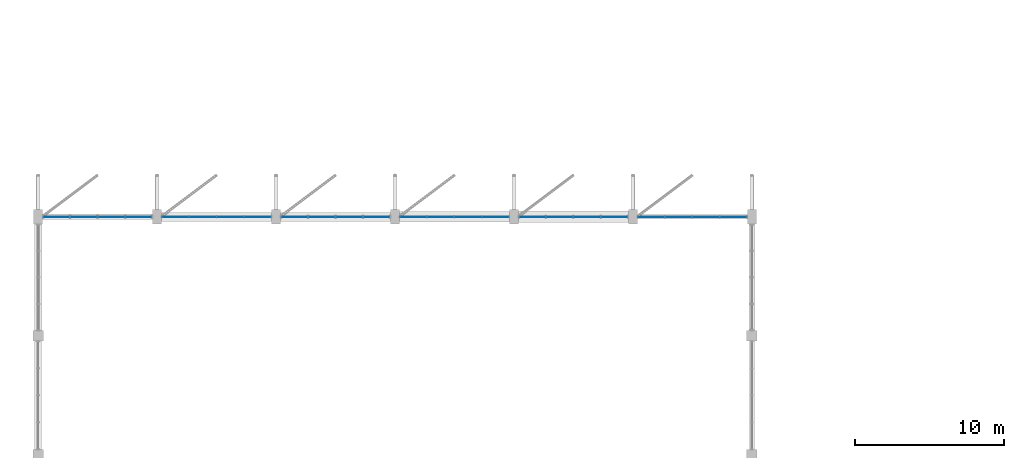
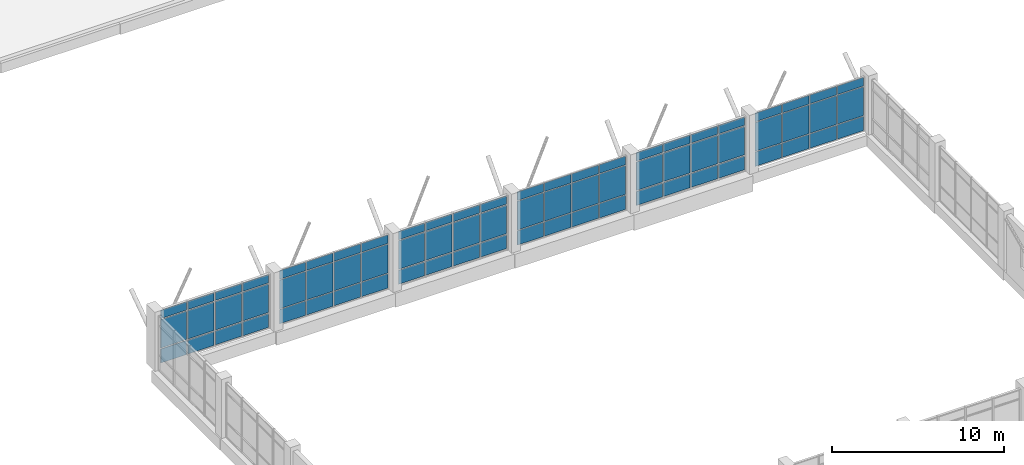
# One storey, part 31 of 44: 72 plates, 6 elements without a shape of their own.
"""IFC4 building model written with IfcOpenShell, lengths in metres."""

from ifc_helpers import new_model, si_unit, direction, frame, origin, origin_2d, place, context, subcontext, project, spatial, rectangle, extrude, material, layer, layer_set, type_object, element, aggregate, save


model = new_model("IFC4")

# Units and contexts
model_context = context("Model", 3, precision=1e-05, world=origin(), true_north=direction((0.0, 1.0)))
body_context = subcontext(model_context, "Body", "Model", "MODEL_VIEW")
ifc_project = project(units=[si_unit("LENGTHUNIT", "METRE"), si_unit("AREAUNIT", "SQUARE_METRE"), si_unit("VOLUMEUNIT", "CUBIC_METRE"), si_unit("PLANEANGLEUNIT", "RADIAN"), si_unit("MASSUNIT", "GRAM", prefix="KILO")], contexts=[model_context])

# Site, building, storey
site_placement = place(None, origin())
site = spatial("IfcSite", under=ifc_project, at=site_placement, CompositionType="ELEMENT")
building_placement = place(site_placement, origin())
building = spatial("IfcBuilding", under=site, at=building_placement, Name="Tenunan Teduh Sports Hall", CompositionType="ELEMENT")
storey_placement = place(building_placement, frame((0.0, 0.0, 19.199951171875)))
storey = spatial("IfcBuildingStorey", under=building, at=storey_placement, Name="L04", CompositionType="ELEMENT", Elevation=19.199951171875)

# Curtain wall, plates
ifc_material_1 = material(Name="Anodised aluminium", Category="aluminium")
curtain_wall_type = type_object("IfcCurtainWallType", Name="CW-UNIT-2", PredefinedType="NOTDEFINED", material=ifc_material_1)
curtain_wall_1_placement = place(storey_placement, origin())
curtain_wall_1 = element("IfcCurtainWall", 1, at=curtain_wall_1_placement, inside=storey, type_object=curtain_wall_type, Name="CW-CWM-220-L04-093", PredefinedType="NOTDEFINED")
ifc_material_2 = material(Name="Solar-control laminated glazing", Category="glass")
ifc_layer_1 = layer(ifc_material_2, 0.031982421875)
ifc_layer_set_1 = layer_set([ifc_layer_1], Name="Solar-control laminated glazing")
plate_type_1 = type_object("IfcPlateType", Name="CWP-GLZ-32", PredefinedType="CURTAIN_PANEL", material=ifc_layer_set_1)
plate_1_placement = place(storey_placement, frame((7.24365234375, 46.0, 1.1376953125), z_axis=(0.0, 0.0, 1.0), x_axis=(1.0, 0.0, 0.0)))
plate_1 = element("IfcPlate", 2, at=plate_1_placement, type_object=plate_type_1, Name="CW-02 panel 1.2", PredefinedType="CURTAIN_PANEL", context=body_context, shape_type="SweptSolid", body=[
    extrude(rectangle(XDim=1.737548828125, YDim=0.031982421875, at=origin_2d()), origin(), (0.0, 0.0, 1.0), 2.02490234375),
])
plate_2_placement = place(storey_placement, frame((7.24365234375, 46.0, 3.237548828125), z_axis=(0.0, 0.0, 1.0), x_axis=(1.0, 0.0, 0.0)))
plate_2 = element("IfcPlate", 3, at=plate_2_placement, type_object=plate_type_1, Name="CW-02 panel 1.3", PredefinedType="CURTAIN_PANEL", context=body_context, shape_type="SweptSolid", body=[
    extrude(rectangle(XDim=1.737548828125, YDim=0.031982421875, at=origin_2d()), origin(), (0.0, 0.0, 1.0), 0.58740234375),
])
plate_3_placement = place(storey_placement, frame((9.074951171875, 46.0, 1.1376953125), z_axis=(0.0, 0.0, 1.0), x_axis=(1.0, 0.0, 0.0)))
plate_3 = element("IfcPlate", 4, at=plate_3_placement, type_object=plate_type_1, Name="CW-02 panel 2.2", PredefinedType="CURTAIN_PANEL", context=body_context, shape_type="SweptSolid", body=[
    extrude(rectangle(XDim=1.77490234375, YDim=0.031982421875, at=origin_2d()), origin(), (0.0, 0.0, 1.0), 2.02490234375),
])
plate_4_placement = place(storey_placement, frame((9.074951171875, 46.0, 3.237548828125), z_axis=(0.0, 0.0, 1.0), x_axis=(1.0, 0.0, 0.0)))
plate_4 = element("IfcPlate", 5, at=plate_4_placement, type_object=plate_type_1, Name="CW-02 panel 2.3", PredefinedType="CURTAIN_PANEL", context=body_context, shape_type="SweptSolid", body=[
    extrude(rectangle(XDim=1.77490234375, YDim=0.031982421875, at=origin_2d()), origin(), (0.0, 0.0, 1.0), 0.58740234375),
])
plate_5_placement = place(storey_placement, frame((10.925048828125, 46.0, 1.1376953125), z_axis=(0.0, 0.0, 1.0), x_axis=(1.0, 0.0, 0.0)))
plate_5 = element("IfcPlate", 6, at=plate_5_placement, type_object=plate_type_1, Name="CW-02 panel 3.2", PredefinedType="CURTAIN_PANEL", context=body_context, shape_type="SweptSolid", body=[
    extrude(rectangle(XDim=1.77490234375, YDim=0.031982421875, at=origin_2d()), origin(), (0.0, 0.0, 1.0), 2.02490234375),
])
plate_6_placement = place(storey_placement, frame((10.925048828125, 46.0, 3.237548828125), z_axis=(0.0, 0.0, 1.0), x_axis=(1.0, 0.0, 0.0)))
plate_6 = element("IfcPlate", 7, at=plate_6_placement, type_object=plate_type_1, Name="CW-02 panel 3.3", PredefinedType="CURTAIN_PANEL", context=body_context, shape_type="SweptSolid", body=[
    extrude(rectangle(XDim=1.77490234375, YDim=0.031982421875, at=origin_2d()), origin(), (0.0, 0.0, 1.0), 0.58740234375),
])
plate_7_placement = place(storey_placement, frame((12.75634765625, 46.0, 1.1376953125), z_axis=(0.0, 0.0, 1.0), x_axis=(1.0, 0.0, 0.0)))
plate_7 = element("IfcPlate", 8, at=plate_7_placement, type_object=plate_type_1, Name="CW-02 panel 4.2", PredefinedType="CURTAIN_PANEL", context=body_context, shape_type="SweptSolid", body=[
    extrude(rectangle(XDim=1.737548828125, YDim=0.031982421875, at=origin_2d()), origin(), (0.0, 0.0, 1.0), 2.02490234375),
])
plate_8_placement = place(storey_placement, frame((12.75634765625, 46.0, 3.237548828125), z_axis=(0.0, 0.0, 1.0), x_axis=(1.0, 0.0, 0.0)))
plate_8 = element("IfcPlate", 9, at=plate_8_placement, type_object=plate_type_1, Name="CW-02 panel 4.3", PredefinedType="CURTAIN_PANEL", context=body_context, shape_type="SweptSolid", body=[
    extrude(rectangle(XDim=1.737548828125, YDim=0.031982421875, at=origin_2d()), origin(), (0.0, 0.0, 1.0), 0.58740234375),
])

curtain_wall_2_placement = place(storey_placement, origin())
curtain_wall_2 = element("IfcCurtainWall", 10, at=curtain_wall_2_placement, inside=storey, type_object=curtain_wall_type, Name="CW-CWM-150-L04-095", PredefinedType="NOTDEFINED")
plate_9_placement = place(storey_placement, frame((15.239990234375, 46.0, 1.130126953125), z_axis=(0.0, 0.0, 1.0), x_axis=(1.0, 0.0, 0.0)))
plate_9 = element("IfcPlate", 11, at=plate_9_placement, type_object=plate_type_1, Name="CW-02 panel 1.2", PredefinedType="CURTAIN_PANEL", context=body_context, shape_type="SweptSolid", body=[
    extrude(rectangle(XDim=1.760009765625, YDim=0.031982421875, at=origin_2d()), origin(), (0.0, 0.0, 1.0), 2.0400390625),
])
plate_10_placement = place(storey_placement, frame((15.239990234375, 46.0, 3.22998046875), z_axis=(0.0, 0.0, 1.0), x_axis=(1.0, 0.0, 0.0)))
plate_10 = element("IfcPlate", 12, at=plate_10_placement, type_object=plate_type_1, Name="CW-02 panel 1.3", PredefinedType="CURTAIN_PANEL", context=body_context, shape_type="SweptSolid", body=[
    extrude(rectangle(XDim=1.760009765625, YDim=0.031982421875, at=origin_2d()), origin(), (0.0, 0.0, 1.0), 0.610107421875),
])
plate_11_placement = place(storey_placement, frame((17.074951171875, 46.0, 1.130126953125), z_axis=(0.0, 0.0, 1.0), x_axis=(1.0, 0.0, 0.0)))
plate_11 = element("IfcPlate", 13, at=plate_11_placement, type_object=plate_type_1, Name="CW-02 panel 2.2", PredefinedType="CURTAIN_PANEL", context=body_context, shape_type="SweptSolid", body=[
    extrude(rectangle(XDim=1.7900390625, YDim=0.031982421875, at=origin_2d()), origin(), (0.0, 0.0, 1.0), 2.0400390625),
])
plate_12_placement = place(storey_placement, frame((17.074951171875, 46.0, 3.22998046875), z_axis=(0.0, 0.0, 1.0), x_axis=(1.0, 0.0, 0.0)))
plate_12 = element("IfcPlate", 14, at=plate_12_placement, type_object=plate_type_1, Name="CW-02 panel 2.3", PredefinedType="CURTAIN_PANEL", context=body_context, shape_type="SweptSolid", body=[
    extrude(rectangle(XDim=1.7900390625, YDim=0.031982421875, at=origin_2d()), origin(), (0.0, 0.0, 1.0), 0.610107421875),
])
plate_13_placement = place(storey_placement, frame((18.925048828125, 46.0, 1.130126953125), z_axis=(0.0, 0.0, 1.0), x_axis=(1.0, 0.0, 0.0)))
plate_13 = element("IfcPlate", 15, at=plate_13_placement, type_object=plate_type_1, Name="CW-02 panel 3.2", PredefinedType="CURTAIN_PANEL", context=body_context, shape_type="SweptSolid", body=[
    extrude(rectangle(XDim=1.7900390625, YDim=0.031982421875, at=origin_2d()), origin(), (0.0, 0.0, 1.0), 2.0400390625),
])
plate_14_placement = place(storey_placement, frame((18.925048828125, 46.0, 3.22998046875), z_axis=(0.0, 0.0, 1.0), x_axis=(1.0, 0.0, 0.0)))
plate_14 = element("IfcPlate", 16, at=plate_14_placement, type_object=plate_type_1, Name="CW-02 panel 3.3", PredefinedType="CURTAIN_PANEL", context=body_context, shape_type="SweptSolid", body=[
    extrude(rectangle(XDim=1.7900390625, YDim=0.031982421875, at=origin_2d()), origin(), (0.0, 0.0, 1.0), 0.610107421875),
])
plate_15_placement = place(storey_placement, frame((20.760009765625, 46.0, 1.130126953125), z_axis=(0.0, 0.0, 1.0), x_axis=(1.0, 0.0, 0.0)))
plate_15 = element("IfcPlate", 17, at=plate_15_placement, type_object=plate_type_1, Name="CW-02 panel 4.2", PredefinedType="CURTAIN_PANEL", context=body_context, shape_type="SweptSolid", body=[
    extrude(rectangle(XDim=1.760009765625, YDim=0.031982421875, at=origin_2d()), origin(), (0.0, 0.0, 1.0), 2.0400390625),
])
plate_16_placement = place(storey_placement, frame((20.760009765625, 46.0, 3.22998046875), z_axis=(0.0, 0.0, 1.0), x_axis=(1.0, 0.0, 0.0)))
plate_16 = element("IfcPlate", 18, at=plate_16_placement, type_object=plate_type_1, Name="CW-02 panel 4.3", PredefinedType="CURTAIN_PANEL", context=body_context, shape_type="SweptSolid", body=[
    extrude(rectangle(XDim=1.760009765625, YDim=0.031982421875, at=origin_2d()), origin(), (0.0, 0.0, 1.0), 0.610107421875),
])

curtain_wall_3_placement = place(storey_placement, origin())
curtain_wall_3 = element("IfcCurtainWall", 19, at=curtain_wall_3_placement, inside=storey, type_object=curtain_wall_type, Name="CW-CWM-220-L04-097", PredefinedType="NOTDEFINED")
plate_17_placement = place(storey_placement, frame((23.24365234375, 46.0, 1.1376953125), z_axis=(0.0, 0.0, 1.0), x_axis=(1.0, 0.0, 0.0)))
plate_17 = element("IfcPlate", 20, at=plate_17_placement, type_object=plate_type_1, Name="CW-02 panel 1.2", PredefinedType="CURTAIN_PANEL", context=body_context, shape_type="SweptSolid", body=[
    extrude(rectangle(XDim=1.737548828125, YDim=0.031982421875, at=origin_2d()), origin(), (0.0, 0.0, 1.0), 2.02490234375),
])
plate_18_placement = place(storey_placement, frame((23.24365234375, 46.0, 3.237548828125), z_axis=(0.0, 0.0, 1.0), x_axis=(1.0, 0.0, 0.0)))
plate_18 = element("IfcPlate", 21, at=plate_18_placement, type_object=plate_type_1, Name="CW-02 panel 1.3", PredefinedType="CURTAIN_PANEL", context=body_context, shape_type="SweptSolid", body=[
    extrude(rectangle(XDim=1.737548828125, YDim=0.031982421875, at=origin_2d()), origin(), (0.0, 0.0, 1.0), 0.58740234375),
])
plate_19_placement = place(storey_placement, frame((25.074951171875, 46.0, 1.1376953125), z_axis=(0.0, 0.0, 1.0), x_axis=(1.0, 0.0, 0.0)))
plate_19 = element("IfcPlate", 22, at=plate_19_placement, type_object=plate_type_1, Name="CW-02 panel 2.2", PredefinedType="CURTAIN_PANEL", context=body_context, shape_type="SweptSolid", body=[
    extrude(rectangle(XDim=1.77490234375, YDim=0.031982421875, at=origin_2d()), origin(), (0.0, 0.0, 1.0), 2.02490234375),
])
plate_20_placement = place(storey_placement, frame((25.074951171875, 46.0, 3.237548828125), z_axis=(0.0, 0.0, 1.0), x_axis=(1.0, 0.0, 0.0)))
plate_20 = element("IfcPlate", 23, at=plate_20_placement, type_object=plate_type_1, Name="CW-02 panel 2.3", PredefinedType="CURTAIN_PANEL", context=body_context, shape_type="SweptSolid", body=[
    extrude(rectangle(XDim=1.77490234375, YDim=0.031982421875, at=origin_2d()), origin(), (0.0, 0.0, 1.0), 0.58740234375),
])
plate_21_placement = place(storey_placement, frame((26.925048828125, 46.0, 1.1376953125), z_axis=(0.0, 0.0, 1.0), x_axis=(1.0, 0.0, 0.0)))
plate_21 = element("IfcPlate", 24, at=plate_21_placement, type_object=plate_type_1, Name="CW-02 panel 3.2", PredefinedType="CURTAIN_PANEL", context=body_context, shape_type="SweptSolid", body=[
    extrude(rectangle(XDim=1.77490234375, YDim=0.031982421875, at=origin_2d()), origin(), (0.0, 0.0, 1.0), 2.02490234375),
])
plate_22_placement = place(storey_placement, frame((26.925048828125, 46.0, 3.237548828125), z_axis=(0.0, 0.0, 1.0), x_axis=(1.0, 0.0, 0.0)))
plate_22 = element("IfcPlate", 25, at=plate_22_placement, type_object=plate_type_1, Name="CW-02 panel 3.3", PredefinedType="CURTAIN_PANEL", context=body_context, shape_type="SweptSolid", body=[
    extrude(rectangle(XDim=1.77490234375, YDim=0.031982421875, at=origin_2d()), origin(), (0.0, 0.0, 1.0), 0.58740234375),
])
plate_23_placement = place(storey_placement, frame((28.75634765625, 46.0, 1.1376953125), z_axis=(0.0, 0.0, 1.0), x_axis=(1.0, 0.0, 0.0)))
plate_23 = element("IfcPlate", 26, at=plate_23_placement, type_object=plate_type_1, Name="CW-02 panel 4.2", PredefinedType="CURTAIN_PANEL", context=body_context, shape_type="SweptSolid", body=[
    extrude(rectangle(XDim=1.737548828125, YDim=0.031982421875, at=origin_2d()), origin(), (0.0, 0.0, 1.0), 2.02490234375),
])
plate_24_placement = place(storey_placement, frame((28.75634765625, 46.0, 3.237548828125), z_axis=(0.0, 0.0, 1.0), x_axis=(1.0, 0.0, 0.0)))
plate_24 = element("IfcPlate", 27, at=plate_24_placement, type_object=plate_type_1, Name="CW-02 panel 4.3", PredefinedType="CURTAIN_PANEL", context=body_context, shape_type="SweptSolid", body=[
    extrude(rectangle(XDim=1.737548828125, YDim=0.031982421875, at=origin_2d()), origin(), (0.0, 0.0, 1.0), 0.58740234375),
])

curtain_wall_4_placement = place(storey_placement, origin())
curtain_wall_4 = element("IfcCurtainWall", 28, at=curtain_wall_4_placement, inside=storey, type_object=curtain_wall_type, Name="CW-CWM-150-L04-099", PredefinedType="NOTDEFINED")
plate_25_placement = place(storey_placement, frame((31.239990234375, 46.0, 1.130126953125), z_axis=(0.0, 0.0, 1.0), x_axis=(1.0, 0.0, 0.0)))
plate_25 = element("IfcPlate", 29, at=plate_25_placement, type_object=plate_type_1, Name="CW-02 panel 1.2", PredefinedType="CURTAIN_PANEL", context=body_context, shape_type="SweptSolid", body=[
    extrude(rectangle(XDim=1.760009765625, YDim=0.031982421875, at=origin_2d()), origin(), (0.0, 0.0, 1.0), 2.0400390625),
])
plate_26_placement = place(storey_placement, frame((31.239990234375, 46.0, 3.22998046875), z_axis=(0.0, 0.0, 1.0), x_axis=(1.0, 0.0, 0.0)))
plate_26 = element("IfcPlate", 30, at=plate_26_placement, type_object=plate_type_1, Name="CW-02 panel 1.3", PredefinedType="CURTAIN_PANEL", context=body_context, shape_type="SweptSolid", body=[
    extrude(rectangle(XDim=1.760009765625, YDim=0.031982421875, at=origin_2d()), origin(), (0.0, 0.0, 1.0), 0.610107421875),
])
plate_27_placement = place(storey_placement, frame((33.074951171875, 46.0, 1.130126953125), z_axis=(0.0, 0.0, 1.0), x_axis=(1.0, 0.0, 0.0)))
plate_27 = element("IfcPlate", 31, at=plate_27_placement, type_object=plate_type_1, Name="CW-02 panel 2.2", PredefinedType="CURTAIN_PANEL", context=body_context, shape_type="SweptSolid", body=[
    extrude(rectangle(XDim=1.7900390625, YDim=0.031982421875, at=origin_2d()), origin(), (0.0, 0.0, 1.0), 2.0400390625),
])
plate_28_placement = place(storey_placement, frame((33.074951171875, 46.0, 3.22998046875), z_axis=(0.0, 0.0, 1.0), x_axis=(1.0, 0.0, 0.0)))
plate_28 = element("IfcPlate", 32, at=plate_28_placement, type_object=plate_type_1, Name="CW-02 panel 2.3", PredefinedType="CURTAIN_PANEL", context=body_context, shape_type="SweptSolid", body=[
    extrude(rectangle(XDim=1.7900390625, YDim=0.031982421875, at=origin_2d()), origin(), (0.0, 0.0, 1.0), 0.610107421875),
])
plate_29_placement = place(storey_placement, frame((34.925048828125, 46.0, 1.130126953125), z_axis=(0.0, 0.0, 1.0), x_axis=(1.0, 0.0, 0.0)))
plate_29 = element("IfcPlate", 33, at=plate_29_placement, type_object=plate_type_1, Name="CW-02 panel 3.2", PredefinedType="CURTAIN_PANEL", context=body_context, shape_type="SweptSolid", body=[
    extrude(rectangle(XDim=1.7900390625, YDim=0.031982421875, at=origin_2d()), origin(), (0.0, 0.0, 1.0), 2.0400390625),
])
plate_30_placement = place(storey_placement, frame((34.925048828125, 46.0, 3.22998046875), z_axis=(0.0, 0.0, 1.0), x_axis=(1.0, 0.0, 0.0)))
plate_30 = element("IfcPlate", 34, at=plate_30_placement, type_object=plate_type_1, Name="CW-02 panel 3.3", PredefinedType="CURTAIN_PANEL", context=body_context, shape_type="SweptSolid", body=[
    extrude(rectangle(XDim=1.7900390625, YDim=0.031982421875, at=origin_2d()), origin(), (0.0, 0.0, 1.0), 0.610107421875),
])
plate_31_placement = place(storey_placement, frame((36.760009765625, 46.0, 1.130126953125), z_axis=(0.0, 0.0, 1.0), x_axis=(1.0, 0.0, 0.0)))
plate_31 = element("IfcPlate", 35, at=plate_31_placement, type_object=plate_type_1, Name="CW-02 panel 4.2", PredefinedType="CURTAIN_PANEL", context=body_context, shape_type="SweptSolid", body=[
    extrude(rectangle(XDim=1.760009765625, YDim=0.031982421875, at=origin_2d()), origin(), (0.0, 0.0, 1.0), 2.0400390625),
])
plate_32_placement = place(storey_placement, frame((36.760009765625, 46.0, 3.22998046875), z_axis=(0.0, 0.0, 1.0), x_axis=(1.0, 0.0, 0.0)))
plate_32 = element("IfcPlate", 36, at=plate_32_placement, type_object=plate_type_1, Name="CW-02 panel 4.3", PredefinedType="CURTAIN_PANEL", context=body_context, shape_type="SweptSolid", body=[
    extrude(rectangle(XDim=1.760009765625, YDim=0.031982421875, at=origin_2d()), origin(), (0.0, 0.0, 1.0), 0.610107421875),
])

curtain_wall_5_placement = place(storey_placement, origin())
curtain_wall_5 = element("IfcCurtainWall", 37, at=curtain_wall_5_placement, inside=storey, type_object=curtain_wall_type, Name="CW-CWM-220-L04-101", PredefinedType="NOTDEFINED")
plate_33_placement = place(storey_placement, frame((39.24365234375, 46.0, 1.1376953125), z_axis=(0.0, 0.0, 1.0), x_axis=(1.0, 0.0, 0.0)))
plate_33 = element("IfcPlate", 38, at=plate_33_placement, type_object=plate_type_1, Name="CW-02 panel 1.2", PredefinedType="CURTAIN_PANEL", context=body_context, shape_type="SweptSolid", body=[
    extrude(rectangle(XDim=1.737548828125, YDim=0.031982421875, at=origin_2d()), origin(), (0.0, 0.0, 1.0), 2.02490234375),
])
plate_34_placement = place(storey_placement, frame((39.24365234375, 46.0, 3.237548828125), z_axis=(0.0, 0.0, 1.0), x_axis=(1.0, 0.0, 0.0)))
plate_34 = element("IfcPlate", 39, at=plate_34_placement, type_object=plate_type_1, Name="CW-02 panel 1.3", PredefinedType="CURTAIN_PANEL", context=body_context, shape_type="SweptSolid", body=[
    extrude(rectangle(XDim=1.737548828125, YDim=0.031982421875, at=origin_2d()), origin(), (0.0, 0.0, 1.0), 0.58740234375),
])
plate_35_placement = place(storey_placement, frame((41.074951171875, 46.0, 1.1376953125), z_axis=(0.0, 0.0, 1.0), x_axis=(1.0, 0.0, 0.0)))
plate_35 = element("IfcPlate", 40, at=plate_35_placement, type_object=plate_type_1, Name="CW-02 panel 2.2", PredefinedType="CURTAIN_PANEL", context=body_context, shape_type="SweptSolid", body=[
    extrude(rectangle(XDim=1.77490234375, YDim=0.031982421875, at=origin_2d()), origin(), (0.0, 0.0, 1.0), 2.02490234375),
])
plate_36_placement = place(storey_placement, frame((41.074951171875, 46.0, 3.237548828125), z_axis=(0.0, 0.0, 1.0), x_axis=(1.0, 0.0, 0.0)))
plate_36 = element("IfcPlate", 41, at=plate_36_placement, type_object=plate_type_1, Name="CW-02 panel 2.3", PredefinedType="CURTAIN_PANEL", context=body_context, shape_type="SweptSolid", body=[
    extrude(rectangle(XDim=1.77490234375, YDim=0.031982421875, at=origin_2d()), origin(), (0.0, 0.0, 1.0), 0.58740234375),
])
plate_37_placement = place(storey_placement, frame((42.925048828125, 46.0, 1.1376953125), z_axis=(0.0, 0.0, 1.0), x_axis=(1.0, 0.0, 0.0)))
plate_37 = element("IfcPlate", 42, at=plate_37_placement, type_object=plate_type_1, Name="CW-02 panel 3.2", PredefinedType="CURTAIN_PANEL", context=body_context, shape_type="SweptSolid", body=[
    extrude(rectangle(XDim=1.77490234375, YDim=0.031982421875, at=origin_2d()), origin(), (0.0, 0.0, 1.0), 2.02490234375),
])
plate_38_placement = place(storey_placement, frame((42.925048828125, 46.0, 3.237548828125), z_axis=(0.0, 0.0, 1.0), x_axis=(1.0, 0.0, 0.0)))
plate_38 = element("IfcPlate", 43, at=plate_38_placement, type_object=plate_type_1, Name="CW-02 panel 3.3", PredefinedType="CURTAIN_PANEL", context=body_context, shape_type="SweptSolid", body=[
    extrude(rectangle(XDim=1.77490234375, YDim=0.031982421875, at=origin_2d()), origin(), (0.0, 0.0, 1.0), 0.58740234375),
])
plate_39_placement = place(storey_placement, frame((44.75634765625, 46.0, 1.1376953125), z_axis=(0.0, 0.0, 1.0), x_axis=(1.0, 0.0, 0.0)))
plate_39 = element("IfcPlate", 44, at=plate_39_placement, type_object=plate_type_1, Name="CW-02 panel 4.2", PredefinedType="CURTAIN_PANEL", context=body_context, shape_type="SweptSolid", body=[
    extrude(rectangle(XDim=1.737548828125, YDim=0.031982421875, at=origin_2d()), origin(), (0.0, 0.0, 1.0), 2.02490234375),
])
plate_40_placement = place(storey_placement, frame((44.75634765625, 46.0, 3.237548828125), z_axis=(0.0, 0.0, 1.0), x_axis=(1.0, 0.0, 0.0)))
plate_40 = element("IfcPlate", 45, at=plate_40_placement, type_object=plate_type_1, Name="CW-02 panel 4.3", PredefinedType="CURTAIN_PANEL", context=body_context, shape_type="SweptSolid", body=[
    extrude(rectangle(XDim=1.737548828125, YDim=0.031982421875, at=origin_2d()), origin(), (0.0, 0.0, 1.0), 0.58740234375),
])

curtain_wall_6_placement = place(storey_placement, origin())
curtain_wall_6 = element("IfcCurtainWall", 46, at=curtain_wall_6_placement, inside=storey, type_object=curtain_wall_type, Name="CW-CWM-150-L04-103", PredefinedType="NOTDEFINED")
plate_41_placement = place(storey_placement, frame((47.239990234375, 46.0, 1.130126953125), z_axis=(0.0, 0.0, 1.0), x_axis=(1.0, 0.0, 0.0)))
plate_41 = element("IfcPlate", 47, at=plate_41_placement, type_object=plate_type_1, Name="CW-02 panel 1.2", PredefinedType="CURTAIN_PANEL", context=body_context, shape_type="SweptSolid", body=[
    extrude(rectangle(XDim=1.760009765625, YDim=0.031982421875, at=origin_2d()), origin(), (0.0, 0.0, 1.0), 2.0400390625),
])
plate_42_placement = place(storey_placement, frame((47.239990234375, 46.0, 3.22998046875), z_axis=(0.0, 0.0, 1.0), x_axis=(1.0, 0.0, 0.0)))
plate_42 = element("IfcPlate", 48, at=plate_42_placement, type_object=plate_type_1, Name="CW-02 panel 1.3", PredefinedType="CURTAIN_PANEL", context=body_context, shape_type="SweptSolid", body=[
    extrude(rectangle(XDim=1.760009765625, YDim=0.031982421875, at=origin_2d()), origin(), (0.0, 0.0, 1.0), 0.610107421875),
])
plate_43_placement = place(storey_placement, frame((49.074951171875, 46.0, 1.130126953125), z_axis=(0.0, 0.0, 1.0), x_axis=(1.0, 0.0, 0.0)))
plate_43 = element("IfcPlate", 49, at=plate_43_placement, type_object=plate_type_1, Name="CW-02 panel 2.2", PredefinedType="CURTAIN_PANEL", context=body_context, shape_type="SweptSolid", body=[
    extrude(rectangle(XDim=1.7900390625, YDim=0.031982421875, at=origin_2d()), origin(), (0.0, 0.0, 1.0), 2.0400390625),
])
plate_44_placement = place(storey_placement, frame((49.074951171875, 46.0, 3.22998046875), z_axis=(0.0, 0.0, 1.0), x_axis=(1.0, 0.0, 0.0)))
plate_44 = element("IfcPlate", 50, at=plate_44_placement, type_object=plate_type_1, Name="CW-02 panel 2.3", PredefinedType="CURTAIN_PANEL", context=body_context, shape_type="SweptSolid", body=[
    extrude(rectangle(XDim=1.7900390625, YDim=0.031982421875, at=origin_2d()), origin(), (0.0, 0.0, 1.0), 0.610107421875),
])
plate_45_placement = place(storey_placement, frame((50.925048828125, 46.0, 1.130126953125), z_axis=(0.0, 0.0, 1.0), x_axis=(1.0, 0.0, 0.0)))
plate_45 = element("IfcPlate", 51, at=plate_45_placement, type_object=plate_type_1, Name="CW-02 panel 3.2", PredefinedType="CURTAIN_PANEL", context=body_context, shape_type="SweptSolid", body=[
    extrude(rectangle(XDim=1.7900390625, YDim=0.031982421875, at=origin_2d()), origin(), (0.0, 0.0, 1.0), 2.0400390625),
])
plate_46_placement = place(storey_placement, frame((50.925048828125, 46.0, 3.22998046875), z_axis=(0.0, 0.0, 1.0), x_axis=(1.0, 0.0, 0.0)))
plate_46 = element("IfcPlate", 52, at=plate_46_placement, type_object=plate_type_1, Name="CW-02 panel 3.3", PredefinedType="CURTAIN_PANEL", context=body_context, shape_type="SweptSolid", body=[
    extrude(rectangle(XDim=1.7900390625, YDim=0.031982421875, at=origin_2d()), origin(), (0.0, 0.0, 1.0), 0.610107421875),
])
plate_47_placement = place(storey_placement, frame((52.760009765625, 46.0, 1.130126953125), z_axis=(0.0, 0.0, 1.0), x_axis=(1.0, 0.0, 0.0)))
plate_47 = element("IfcPlate", 53, at=plate_47_placement, type_object=plate_type_1, Name="CW-02 panel 4.2", PredefinedType="CURTAIN_PANEL", context=body_context, shape_type="SweptSolid", body=[
    extrude(rectangle(XDim=1.760009765625, YDim=0.031982421875, at=origin_2d()), origin(), (0.0, 0.0, 1.0), 2.0400390625),
])
plate_48_placement = place(storey_placement, frame((52.760009765625, 46.0, 3.22998046875), z_axis=(0.0, 0.0, 1.0), x_axis=(1.0, 0.0, 0.0)))
plate_48 = element("IfcPlate", 54, at=plate_48_placement, type_object=plate_type_1, Name="CW-02 panel 4.3", PredefinedType="CURTAIN_PANEL", context=body_context, shape_type="SweptSolid", body=[
    extrude(rectangle(XDim=1.760009765625, YDim=0.031982421875, at=origin_2d()), origin(), (0.0, 0.0, 1.0), 0.610107421875),
])

# Plate
ifc_material_3 = material(Name="Insulated aluminium spandrel panel", Category="aluminium")
ifc_layer_2 = layer(ifc_material_3, 0.044921875)
ifc_layer_set_2 = layer_set([ifc_layer_2], Name="Insulated aluminium spandrel panel")
plate_type_2 = type_object("IfcPlateType", Name="CWP-SPN-45", PredefinedType="CURTAIN_PANEL", material=ifc_layer_set_2)
plate_49_placement = place(storey_placement, frame((7.24365234375, 46.0, 0.0751953125), z_axis=(0.0, 0.0, 1.0), x_axis=(1.0, 0.0, 0.0)))
plate_49 = element("IfcPlate", 55, at=plate_49_placement, type_object=plate_type_2, Name="CW-02 panel 1.1", PredefinedType="CURTAIN_PANEL", context=body_context, shape_type="SweptSolid", body=[
    extrude(rectangle(XDim=1.737548828125, YDim=0.031982421875, at=origin_2d()), origin(), (0.0, 0.0, 1.0), 0.987548828125),
])

plate_50_placement = place(storey_placement, frame((9.074951171875, 46.0, 0.0751953125), z_axis=(0.0, 0.0, 1.0), x_axis=(1.0, 0.0, 0.0)))
plate_50 = element("IfcPlate", 56, at=plate_50_placement, type_object=plate_type_2, Name="CW-02 panel 2.1", PredefinedType="CURTAIN_PANEL", context=body_context, shape_type="SweptSolid", body=[
    extrude(rectangle(XDim=1.77490234375, YDim=0.031982421875, at=origin_2d()), origin(), (0.0, 0.0, 1.0), 0.987548828125),
])

plate_51_placement = place(storey_placement, frame((10.925048828125, 46.0, 0.0751953125), z_axis=(0.0, 0.0, 1.0), x_axis=(1.0, 0.0, 0.0)))
plate_51 = element("IfcPlate", 57, at=plate_51_placement, type_object=plate_type_2, Name="CW-02 panel 3.1", PredefinedType="CURTAIN_PANEL", context=body_context, shape_type="SweptSolid", body=[
    extrude(rectangle(XDim=1.77490234375, YDim=0.031982421875, at=origin_2d()), origin(), (0.0, 0.0, 1.0), 0.987548828125),
])

plate_52_placement = place(storey_placement, frame((12.75634765625, 46.0, 0.0751953125), z_axis=(0.0, 0.0, 1.0), x_axis=(1.0, 0.0, 0.0)))
plate_52 = element("IfcPlate", 58, at=plate_52_placement, type_object=plate_type_2, Name="CW-02 panel 4.1", PredefinedType="CURTAIN_PANEL", context=body_context, shape_type="SweptSolid", body=[
    extrude(rectangle(XDim=1.737548828125, YDim=0.031982421875, at=origin_2d()), origin(), (0.0, 0.0, 1.0), 0.987548828125),
])

aggregate(curtain_wall_1, [plate_49, plate_1, plate_2, plate_50, plate_3, plate_4, plate_51, plate_5, plate_6, plate_52, plate_7, plate_8])

plate_53_placement = place(storey_placement, frame((15.239990234375, 46.0, 0.06005859375), z_axis=(0.0, 0.0, 1.0), x_axis=(1.0, 0.0, 0.0)))
plate_53 = element("IfcPlate", 59, at=plate_53_placement, type_object=plate_type_2, Name="CW-02 panel 1.1", PredefinedType="CURTAIN_PANEL", context=body_context, shape_type="SweptSolid", body=[
    extrude(rectangle(XDim=1.760009765625, YDim=0.031982421875, at=origin_2d()), origin(), (0.0, 0.0, 1.0), 1.010009765625),
])

plate_54_placement = place(storey_placement, frame((17.074951171875, 46.0, 0.06005859375), z_axis=(0.0, 0.0, 1.0), x_axis=(1.0, 0.0, 0.0)))
plate_54 = element("IfcPlate", 60, at=plate_54_placement, type_object=plate_type_2, Name="CW-02 panel 2.1", PredefinedType="CURTAIN_PANEL", context=body_context, shape_type="SweptSolid", body=[
    extrude(rectangle(XDim=1.7900390625, YDim=0.031982421875, at=origin_2d()), origin(), (0.0, 0.0, 1.0), 1.010009765625),
])

plate_55_placement = place(storey_placement, frame((18.925048828125, 46.0, 0.06005859375), z_axis=(0.0, 0.0, 1.0), x_axis=(1.0, 0.0, 0.0)))
plate_55 = element("IfcPlate", 61, at=plate_55_placement, type_object=plate_type_2, Name="CW-02 panel 3.1", PredefinedType="CURTAIN_PANEL", context=body_context, shape_type="SweptSolid", body=[
    extrude(rectangle(XDim=1.7900390625, YDim=0.031982421875, at=origin_2d()), origin(), (0.0, 0.0, 1.0), 1.010009765625),
])

plate_56_placement = place(storey_placement, frame((20.760009765625, 46.0, 0.06005859375), z_axis=(0.0, 0.0, 1.0), x_axis=(1.0, 0.0, 0.0)))
plate_56 = element("IfcPlate", 62, at=plate_56_placement, type_object=plate_type_2, Name="CW-02 panel 4.1", PredefinedType="CURTAIN_PANEL", context=body_context, shape_type="SweptSolid", body=[
    extrude(rectangle(XDim=1.760009765625, YDim=0.031982421875, at=origin_2d()), origin(), (0.0, 0.0, 1.0), 1.010009765625),
])

aggregate(curtain_wall_2, [plate_53, plate_9, plate_10, plate_54, plate_11, plate_12, plate_55, plate_13, plate_14, plate_56, plate_15, plate_16])

plate_57_placement = place(storey_placement, frame((23.24365234375, 46.0, 0.0751953125), z_axis=(0.0, 0.0, 1.0), x_axis=(1.0, 0.0, 0.0)))
plate_57 = element("IfcPlate", 63, at=plate_57_placement, type_object=plate_type_2, Name="CW-02 panel 1.1", PredefinedType="CURTAIN_PANEL", context=body_context, shape_type="SweptSolid", body=[
    extrude(rectangle(XDim=1.737548828125, YDim=0.031982421875, at=origin_2d()), origin(), (0.0, 0.0, 1.0), 0.987548828125),
])

plate_58_placement = place(storey_placement, frame((25.074951171875, 46.0, 0.0751953125), z_axis=(0.0, 0.0, 1.0), x_axis=(1.0, 0.0, 0.0)))
plate_58 = element("IfcPlate", 64, at=plate_58_placement, type_object=plate_type_2, Name="CW-02 panel 2.1", PredefinedType="CURTAIN_PANEL", context=body_context, shape_type="SweptSolid", body=[
    extrude(rectangle(XDim=1.77490234375, YDim=0.031982421875, at=origin_2d()), origin(), (0.0, 0.0, 1.0), 0.987548828125),
])

plate_59_placement = place(storey_placement, frame((26.925048828125, 46.0, 0.0751953125), z_axis=(0.0, 0.0, 1.0), x_axis=(1.0, 0.0, 0.0)))
plate_59 = element("IfcPlate", 65, at=plate_59_placement, type_object=plate_type_2, Name="CW-02 panel 3.1", PredefinedType="CURTAIN_PANEL", context=body_context, shape_type="SweptSolid", body=[
    extrude(rectangle(XDim=1.77490234375, YDim=0.031982421875, at=origin_2d()), origin(), (0.0, 0.0, 1.0), 0.987548828125),
])

plate_60_placement = place(storey_placement, frame((28.75634765625, 46.0, 0.0751953125), z_axis=(0.0, 0.0, 1.0), x_axis=(1.0, 0.0, 0.0)))
plate_60 = element("IfcPlate", 66, at=plate_60_placement, type_object=plate_type_2, Name="CW-02 panel 4.1", PredefinedType="CURTAIN_PANEL", context=body_context, shape_type="SweptSolid", body=[
    extrude(rectangle(XDim=1.737548828125, YDim=0.031982421875, at=origin_2d()), origin(), (0.0, 0.0, 1.0), 0.987548828125),
])

aggregate(curtain_wall_3, [plate_57, plate_17, plate_18, plate_58, plate_19, plate_20, plate_59, plate_21, plate_22, plate_60, plate_23, plate_24])

plate_61_placement = place(storey_placement, frame((31.239990234375, 46.0, 0.06005859375), z_axis=(0.0, 0.0, 1.0), x_axis=(1.0, 0.0, 0.0)))
plate_61 = element("IfcPlate", 67, at=plate_61_placement, type_object=plate_type_2, Name="CW-02 panel 1.1", PredefinedType="CURTAIN_PANEL", context=body_context, shape_type="SweptSolid", body=[
    extrude(rectangle(XDim=1.760009765625, YDim=0.031982421875, at=origin_2d()), origin(), (0.0, 0.0, 1.0), 1.010009765625),
])

plate_62_placement = place(storey_placement, frame((33.074951171875, 46.0, 0.06005859375), z_axis=(0.0, 0.0, 1.0), x_axis=(1.0, 0.0, 0.0)))
plate_62 = element("IfcPlate", 68, at=plate_62_placement, type_object=plate_type_2, Name="CW-02 panel 2.1", PredefinedType="CURTAIN_PANEL", context=body_context, shape_type="SweptSolid", body=[
    extrude(rectangle(XDim=1.7900390625, YDim=0.031982421875, at=origin_2d()), origin(), (0.0, 0.0, 1.0), 1.010009765625),
])

plate_63_placement = place(storey_placement, frame((34.925048828125, 46.0, 0.06005859375), z_axis=(0.0, 0.0, 1.0), x_axis=(1.0, 0.0, 0.0)))
plate_63 = element("IfcPlate", 69, at=plate_63_placement, type_object=plate_type_2, Name="CW-02 panel 3.1", PredefinedType="CURTAIN_PANEL", context=body_context, shape_type="SweptSolid", body=[
    extrude(rectangle(XDim=1.7900390625, YDim=0.031982421875, at=origin_2d()), origin(), (0.0, 0.0, 1.0), 1.010009765625),
])

plate_64_placement = place(storey_placement, frame((36.760009765625, 46.0, 0.06005859375), z_axis=(0.0, 0.0, 1.0), x_axis=(1.0, 0.0, 0.0)))
plate_64 = element("IfcPlate", 70, at=plate_64_placement, type_object=plate_type_2, Name="CW-02 panel 4.1", PredefinedType="CURTAIN_PANEL", context=body_context, shape_type="SweptSolid", body=[
    extrude(rectangle(XDim=1.760009765625, YDim=0.031982421875, at=origin_2d()), origin(), (0.0, 0.0, 1.0), 1.010009765625),
])

aggregate(curtain_wall_4, [plate_61, plate_25, plate_26, plate_62, plate_27, plate_28, plate_63, plate_29, plate_30, plate_64, plate_31, plate_32])

plate_65_placement = place(storey_placement, frame((39.24365234375, 46.0, 0.0751953125), z_axis=(0.0, 0.0, 1.0), x_axis=(1.0, 0.0, 0.0)))
plate_65 = element("IfcPlate", 71, at=plate_65_placement, type_object=plate_type_2, Name="CW-02 panel 1.1", PredefinedType="CURTAIN_PANEL", context=body_context, shape_type="SweptSolid", body=[
    extrude(rectangle(XDim=1.737548828125, YDim=0.031982421875, at=origin_2d()), origin(), (0.0, 0.0, 1.0), 0.987548828125),
])

plate_66_placement = place(storey_placement, frame((41.074951171875, 46.0, 0.0751953125), z_axis=(0.0, 0.0, 1.0), x_axis=(1.0, 0.0, 0.0)))
plate_66 = element("IfcPlate", 72, at=plate_66_placement, type_object=plate_type_2, Name="CW-02 panel 2.1", PredefinedType="CURTAIN_PANEL", context=body_context, shape_type="SweptSolid", body=[
    extrude(rectangle(XDim=1.77490234375, YDim=0.031982421875, at=origin_2d()), origin(), (0.0, 0.0, 1.0), 0.987548828125),
])

plate_67_placement = place(storey_placement, frame((42.925048828125, 46.0, 0.0751953125), z_axis=(0.0, 0.0, 1.0), x_axis=(1.0, 0.0, 0.0)))
plate_67 = element("IfcPlate", 73, at=plate_67_placement, type_object=plate_type_2, Name="CW-02 panel 3.1", PredefinedType="CURTAIN_PANEL", context=body_context, shape_type="SweptSolid", body=[
    extrude(rectangle(XDim=1.77490234375, YDim=0.031982421875, at=origin_2d()), origin(), (0.0, 0.0, 1.0), 0.987548828125),
])

plate_68_placement = place(storey_placement, frame((44.75634765625, 46.0, 0.0751953125), z_axis=(0.0, 0.0, 1.0), x_axis=(1.0, 0.0, 0.0)))
plate_68 = element("IfcPlate", 74, at=plate_68_placement, type_object=plate_type_2, Name="CW-02 panel 4.1", PredefinedType="CURTAIN_PANEL", context=body_context, shape_type="SweptSolid", body=[
    extrude(rectangle(XDim=1.737548828125, YDim=0.031982421875, at=origin_2d()), origin(), (0.0, 0.0, 1.0), 0.987548828125),
])

aggregate(curtain_wall_5, [plate_65, plate_33, plate_34, plate_66, plate_35, plate_36, plate_67, plate_37, plate_38, plate_68, plate_39, plate_40])

plate_69_placement = place(storey_placement, frame((47.239990234375, 46.0, 0.06005859375), z_axis=(0.0, 0.0, 1.0), x_axis=(1.0, 0.0, 0.0)))
plate_69 = element("IfcPlate", 75, at=plate_69_placement, type_object=plate_type_2, Name="CW-02 panel 1.1", PredefinedType="CURTAIN_PANEL", context=body_context, shape_type="SweptSolid", body=[
    extrude(rectangle(XDim=1.760009765625, YDim=0.031982421875, at=origin_2d()), origin(), (0.0, 0.0, 1.0), 1.010009765625),
])

plate_70_placement = place(storey_placement, frame((49.074951171875, 46.0, 0.06005859375), z_axis=(0.0, 0.0, 1.0), x_axis=(1.0, 0.0, 0.0)))
plate_70 = element("IfcPlate", 76, at=plate_70_placement, type_object=plate_type_2, Name="CW-02 panel 2.1", PredefinedType="CURTAIN_PANEL", context=body_context, shape_type="SweptSolid", body=[
    extrude(rectangle(XDim=1.7900390625, YDim=0.031982421875, at=origin_2d()), origin(), (0.0, 0.0, 1.0), 1.010009765625),
])

plate_71_placement = place(storey_placement, frame((50.925048828125, 46.0, 0.06005859375), z_axis=(0.0, 0.0, 1.0), x_axis=(1.0, 0.0, 0.0)))
plate_71 = element("IfcPlate", 77, at=plate_71_placement, type_object=plate_type_2, Name="CW-02 panel 3.1", PredefinedType="CURTAIN_PANEL", context=body_context, shape_type="SweptSolid", body=[
    extrude(rectangle(XDim=1.7900390625, YDim=0.031982421875, at=origin_2d()), origin(), (0.0, 0.0, 1.0), 1.010009765625),
])

plate_72_placement = place(storey_placement, frame((52.760009765625, 46.0, 0.06005859375), z_axis=(0.0, 0.0, 1.0), x_axis=(1.0, 0.0, 0.0)))
plate_72 = element("IfcPlate", 78, at=plate_72_placement, type_object=plate_type_2, Name="CW-02 panel 4.1", PredefinedType="CURTAIN_PANEL", context=body_context, shape_type="SweptSolid", body=[
    extrude(rectangle(XDim=1.760009765625, YDim=0.031982421875, at=origin_2d()), origin(), (0.0, 0.0, 1.0), 1.010009765625),
])

aggregate(curtain_wall_6, [plate_69, plate_41, plate_42, plate_70, plate_43, plate_44, plate_71, plate_45, plate_46, plate_72, plate_47, plate_48])

save(model, "model.ifc")
